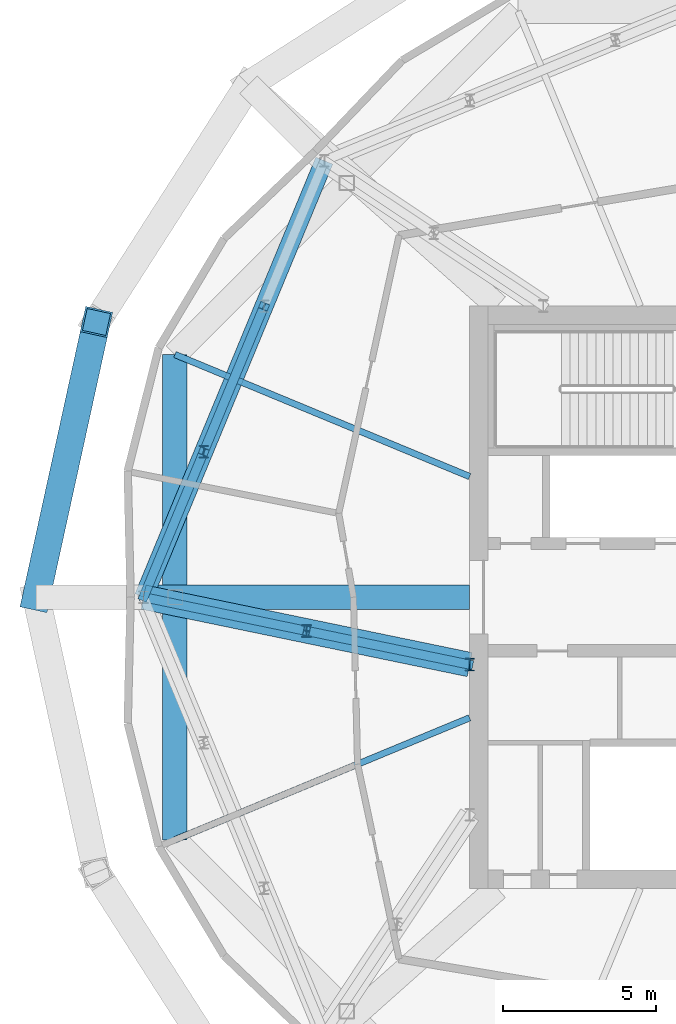
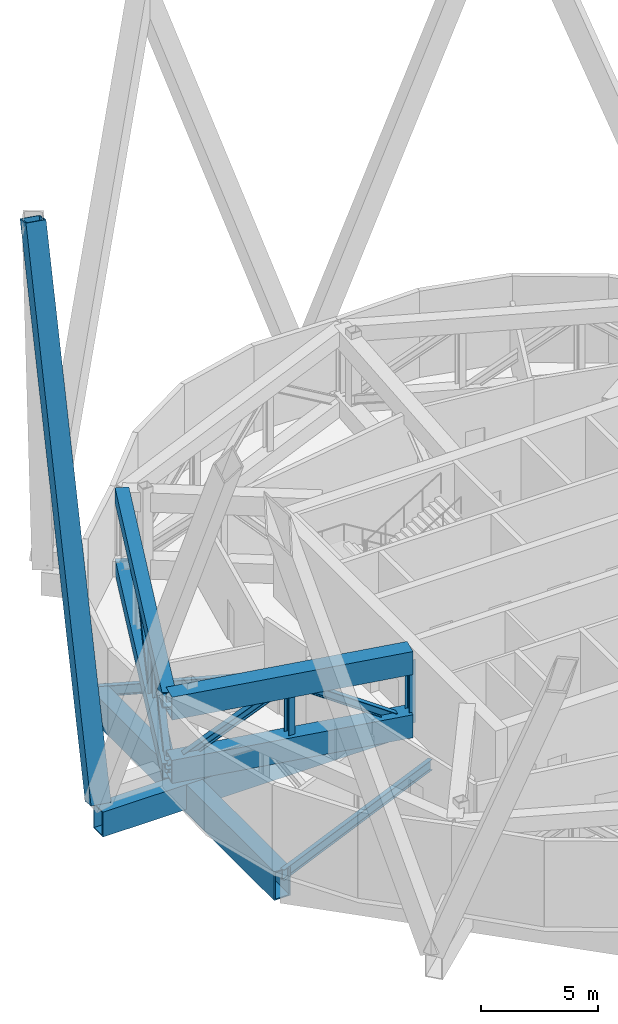
# One storey, part 4 of 19: 12 members, 4 beams.
"""IFC4 building model written with IfcOpenShell, lengths in metres."""

from ifc_helpers import new_model, si_unit, direction, frame, origin, origin_2d, place, context, subcontext, project, spatial, hollow_rectangle, i_section, extrude, material, material_profile, profile_set, type_object, element, save


model = new_model("IFC4")

# Units and contexts
model_context = context("Model", 3, precision=1e-05, world=origin(), true_north=direction((0.0, 1.0)))
body_context = subcontext(model_context, "Body", "Model", "MODEL_VIEW")
ifc_project = project(units=[si_unit("LENGTHUNIT", "METRE"), si_unit("AREAUNIT", "SQUARE_METRE"), si_unit("VOLUMEUNIT", "CUBIC_METRE"), si_unit("PLANEANGLEUNIT", "RADIAN"), si_unit("MASSUNIT", "GRAM", prefix="KILO")], contexts=[model_context])

# Site, building, storey
site_placement = place(None, origin())
site = spatial("IfcSite", under=ifc_project, at=site_placement, CompositionType="ELEMENT")
building_placement = place(site_placement, origin())
building = spatial("IfcBuilding", under=site, at=building_placement, Name="Ogive Gate Towers", CompositionType="ELEMENT")
storey_placement = place(building_placement, frame((0.0, 0.0, 216.300048828125)))
storey = spatial("IfcBuildingStorey", under=building, at=storey_placement, Name="L52", CompositionType="ELEMENT", Elevation=216.300048828125)

# Member
ifc_material_1 = material(Name="Steel SM460", Category="steel")
ifc_material_profile_1 = material_profile(ifc_material_1, hollow_rectangle(XDim=0.89990234375, YDim=0.89990234375, WallThickness=0.06005859375, at=origin_2d()), Name="BX 900x900x60")
ifc_profile_set_1 = profile_set([ifc_material_profile_1], Name="Steel SM460")
member_type_1 = type_object("IfcMemberType", Name="Diagrid diagonal BX 900x900x60", PredefinedType="BRACE", material=ifc_profile_set_1)
member_1_placement = place(storey_placement, frame((-59.639892578125, 0.0, 0.0), z_axis=(0.075657502601, 0.345566183474, 0.935339486571), x_axis=(-0.976861702074, 0.21387195941, 0.0)))
element("IfcMember", 1, at=member_1_placement, inside=storey, type_object=member_type_1, Name="T1/L52/SDG009", PredefinedType="BRACE", context=body_context, shape_type="SweptSolid", body=[
    extrude(hollow_rectangle(XDim=0.89990234375, YDim=0.89990234375, WallThickness=0.06005859375, at=origin_2d()), origin(), (0.0, 0.0, 1.0), 25.97998046875),
])

# Beams
ifc_material_profile_2 = material_profile(ifc_material_1, hollow_rectangle(XDim=0.800048828125, YDim=1.5, WallThickness=0.06005859375, at=origin_2d()), Name="BX 1500x800x60")
ifc_profile_set_2 = profile_set([ifc_material_profile_2], Name="Steel SM460")
beam_type_1 = type_object("IfcBeamType", Name="Edge girder BX 1500x800x60", PredefinedType="BEAM", material=ifc_profile_set_2)
beam_1_placement = place(storey_placement, frame((-55.114990234375, 7.917724609375, -1.050048828125), z_axis=(0.0, -1.0, 0.0), x_axis=(1.0, 0.0, 0.0)))
element("IfcBeam", 2, at=beam_1_placement, inside=storey, type_object=beam_type_1, Name="T1/L52/SBM024", PredefinedType="BEAM", context=body_context, shape_type="SweptSolid", body=[
    extrude(hollow_rectangle(XDim=0.800048828125, YDim=1.5, WallThickness=0.06005859375, at=origin_2d()), origin(), (0.0, 0.0, 1.0), 15.83544921875),
])
ifc_material_2 = material(Name="Steel SM355", Category="steel")
ifc_material_profile_3 = material_profile(ifc_material_2, i_section(OverallWidth=0.2099609375, OverallDepth=0.550048828125, WebThickness=0.010986328125, FlangeThickness=0.01708984375, FilletRadius=0.02392578125, at=origin_2d()), Name="IPE 550")
ifc_profile_set_3 = profile_set([ifc_material_profile_3], Name="Steel SM355")
beam_type_2 = type_object("IfcBeamType", Name="Radial floor beam IPE 550", PredefinedType="BEAM", material=ifc_profile_set_3)
for number, where, z_axis, x_axis, name in (
    (3, (-45.5, -3.93505859375, -0.574951171875), (-0.92387930631, -0.382683978464, 0.0), (0.382683978464, -0.92387930631, 0.0), "T1/L52/SBM001"),
    (4, (-45.5, 3.93505859375, -0.574951171875), (-0.92387930631, 0.382683978464, 0.0), (-0.382683978464, -0.92387930631, 0.0), "T1/L52/SBM015"),
):
    element("IfcBeam", number, at=place(storey_placement, frame(where, z_axis=z_axis, x_axis=x_axis)), inside=storey, type_object=beam_type_2, Name=name, PredefinedType="BEAM", context=body_context, shape_type="SweptSolid", body=[
        extrude(i_section(OverallWidth=0.2099609375, OverallDepth=0.550048828125, WebThickness=0.010986328125, FlangeThickness=0.01708984375, FilletRadius=0.02392578125, at=origin_2d()), origin(), (0.0, 0.0, 1.0), 10.4072265625),
    ])
ifc_material_profile_4 = material_profile(ifc_material_1, hollow_rectangle(XDim=0.800048828125, YDim=1.300048828125, WallThickness=0.050048828125, at=origin_2d()), Name="BX 1300x800x50")
ifc_profile_set_4 = profile_set([ifc_material_profile_4], Name="Steel SM460")
beam_type_3 = type_object("IfcBeamType", Name="Transfer radial beam BX 1300x800x50", PredefinedType="BEAM", material=ifc_profile_set_4)
beam_2_placement = place(storey_placement, frame((-45.5, 0.0, -0.949951171875), z_axis=(-1.0, 0.0, 0.0), x_axis=(0.0, -1.0, 0.0)))
element("IfcBeam", 5, at=beam_2_placement, inside=storey, type_object=beam_type_3, Name="T1/L52/SBM016", PredefinedType="BEAM", context=body_context, shape_type="SweptSolid", body=[
    extrude(hollow_rectangle(XDim=0.800048828125, YDim=1.300048828125, WallThickness=0.050048828125, at=origin_2d()), origin(), (0.0, 0.0, 1.0), 14.139892578125),
])

# Members
ifc_material_profile_5 = material_profile(ifc_material_1, hollow_rectangle(XDim=0.800048828125, YDim=1.199951171875, WallThickness=0.050048828125, at=origin_2d()), Name="BX 1200x800x50")
ifc_profile_set_5 = profile_set([ifc_material_profile_5], Name="Steel SM460")
member_type_2 = type_object("IfcMemberType", Name="Truss chord BX 1200x800x50", PredefinedType="CHORD", material=ifc_profile_set_5)
for number, where, z_axis, x_axis, name in (
    (6, (-45.5, -2.199951171875, 0.599853515625), (-0.979286084876, 0.202481515129, 0.0), (-0.202481515129, -0.979286084876, 0.0), "T1/L52/STR066"),
    (7, (-45.5, -2.199951171875, 3.89990234375), (-0.979286084876, 0.202481515129, 0.0), (-0.202481515129, -0.979286084876, 0.0), "T1/L52/STR067"),
):
    element("IfcMember", number, at=place(storey_placement, frame(where, z_axis=z_axis, x_axis=x_axis)), inside=storey, type_object=member_type_2, Name=name, PredefinedType="CHORD", context=body_context, shape_type="SweptSolid", body=[
        extrude(hollow_rectangle(XDim=0.800048828125, YDim=1.199951171875, WallThickness=0.050048828125, at=origin_2d()), origin(), (0.0, 0.0, 1.0), 10.864990234375),
    ])
ifc_material_profile_6 = material_profile(ifc_material_1, hollow_rectangle(XDim=0.60009765625, YDim=0.800048828125, WallThickness=0.0400390625, at=origin_2d()), Name="BX 800x600x40")
ifc_profile_set_6 = profile_set([ifc_material_profile_6], Name="Steel SM460")
member_type_3 = type_object("IfcMemberType", Name="Truss chord BX 800x600x40", PredefinedType="CHORD", material=ifc_profile_set_6)
for number, where, z_axis, x_axis, name in (
    (8, (-50.2412109375, 14.2412109375, 0.39990234375), (-0.382671190687, -0.923884603085, 0.0), (0.923884603085, -0.382671190687, 0.0), "T1/L52/STR044"),
    (9, (-50.2412109375, 14.2412109375, 4.099853515625), (-0.382671190687, -0.923884603085, 0.0), (0.923884603085, -0.382671190687, 0.0), "T1/L52/STR045"),
):
    element("IfcMember", number, at=place(storey_placement, frame(where, z_axis=z_axis, x_axis=x_axis)), inside=storey, type_object=member_type_3, Name=name, PredefinedType="CHORD", context=body_context, shape_type="SweptSolid", body=[
        extrude(hollow_rectangle(XDim=0.60009765625, YDim=0.800048828125, WallThickness=0.0400390625, at=origin_2d()), origin(), (0.0, 0.0, 1.0), 15.41455078125),
    ])
ifc_material_profile_7 = material_profile(ifc_material_1, i_section(OverallWidth=0.300048828125, OverallDepth=0.39990234375, WebThickness=0.013427734375, FlangeThickness=0.02392578125, FilletRadius=0.027099609375, at=origin_2d()), Name="HE 400 B")
ifc_profile_set_7 = profile_set([ifc_material_profile_7], Name="Steel SM460")
member_type_4 = type_object("IfcMemberType", Name="Truss diagonal HE 400 B", PredefinedType="BRACE", material=ifc_profile_set_7)
member_2_placement = place(storey_placement, frame((-52.20751953125, 9.494140625, 4.099853515625), z_axis=(-0.310548860821, -0.74972833993, -0.58435162475), x_axis=(0.923879003455, -0.382684709619, 0.0)))
element("IfcMember", 10, at=member_2_placement, inside=storey, type_object=member_type_4, Name="T1/L52/STR047", PredefinedType="BRACE", context=body_context, shape_type="SweptSolid", body=[
    extrude(i_section(OverallWidth=0.300048828125, OverallDepth=0.39990234375, WebThickness=0.013427734375, FlangeThickness=0.02392578125, FilletRadius=0.027099609375, at=origin_2d()), origin(), (0.0, 0.0, 1.0), 6.331787109375),
])
member_3_placement = place(storey_placement, frame((-54.173828125, 4.7470703125, 4.099853515625), z_axis=(-0.310514020445, -0.749737316967, -0.584358621613), x_axis=(0.923895801957, -0.382644152086, 0.0)))
element("IfcMember", 11, at=member_3_placement, inside=storey, type_object=member_type_4, Name="T1/L52/STR048", PredefinedType="BRACE", context=body_context, shape_type="SweptSolid", body=[
    extrude(i_section(OverallWidth=0.300048828125, OverallDepth=0.39990234375, WebThickness=0.013427734375, FlangeThickness=0.02392578125, FilletRadius=0.027099609375, at=origin_2d()), origin(), (0.0, 0.0, 1.0), 6.33154296875),
])
member_4_placement = place(storey_placement, frame((-45.5, -2.199951171875, 0.599853515625), z_axis=(-0.836969672007, 0.173032369895, 0.519173927609), x_axis=(-0.202455510679, -0.979291461311, 0.0)))
element("IfcMember", 12, at=member_4_placement, inside=storey, type_object=member_type_4, Name="T1/L52/STR068", PredefinedType="BRACE", context=body_context, shape_type="SweptSolid", body=[
    extrude(i_section(OverallWidth=0.300048828125, OverallDepth=0.39990234375, WebThickness=0.013427734375, FlangeThickness=0.02392578125, FilletRadius=0.027099609375, at=origin_2d()), origin(), (0.0, 0.0, 1.0), 6.3564453125),
])
member_5_placement = place(storey_placement, frame((-50.820068359375, -1.10009765625, 3.89990234375), z_axis=(-0.836952605331, 0.173075192273, -0.519187166877), x_axis=(-0.202507520343, -0.979280707563, 0.0)))
element("IfcMember", 13, at=member_5_placement, inside=storey, type_object=member_type_4, Name="T1/L52/STR069", PredefinedType="BRACE", context=body_context, shape_type="SweptSolid", body=[
    extrude(i_section(OverallWidth=0.300048828125, OverallDepth=0.39990234375, WebThickness=0.013427734375, FlangeThickness=0.02392578125, FilletRadius=0.027099609375, at=origin_2d()), origin(), (0.0, 0.0, 1.0), 6.356201171875),
])
ifc_material_profile_8 = material_profile(ifc_material_1, i_section(OverallWidth=0.300048828125, OverallDepth=0.39990234375, WebThickness=0.013427734375, FlangeThickness=0.02392578125, FilletRadius=0.027099609375, at=origin_2d()), Name="HE 400 B")
ifc_profile_set_8 = profile_set([ifc_material_profile_8], Name="Steel SM460")
member_type_5 = type_object("IfcMemberType", Name="Truss post HE 400 B", PredefinedType="POST", material=ifc_profile_set_8)
member_6_placement = place(storey_placement, frame((-54.173828125, 4.7470703125, 0.39990234375), z_axis=(0.0, 0.0, 1.0), x_axis=(1.0, 0.0, 0.0)))
element("IfcMember", 14, at=member_6_placement, inside=storey, type_object=member_type_5, Name="T1/L52/STR050", PredefinedType="POST", context=body_context, shape_type="SweptSolid", body=[
    extrude(i_section(OverallWidth=0.300048828125, OverallDepth=0.39990234375, WebThickness=0.013427734375, FlangeThickness=0.02392578125, FilletRadius=0.027099609375, at=origin_2d()), origin(), (0.0, 0.0, 1.0), 3.699951171875),
])
for number, where, z_axis, x_axis, name in (
    (15, (-45.5, -2.199951171875, 0.599853515625), (0.0, 0.0, 1.0), (1.0, 0.0, 0.0), "T1/L52/STR070"),
    (16, (-50.820068359375, -1.10009765625, 0.599853515625), (0.0, 0.0, 1.0), (1.0, 0.0, 0.0), "T1/L52/STR071"),
):
    element("IfcMember", number, at=place(storey_placement, frame(where, z_axis=z_axis, x_axis=x_axis)), inside=storey, type_object=member_type_5, Name=name, PredefinedType="POST", context=body_context, shape_type="SweptSolid", body=[
        extrude(i_section(OverallWidth=0.300048828125, OverallDepth=0.39990234375, WebThickness=0.013427734375, FlangeThickness=0.02392578125, FilletRadius=0.027099609375, at=origin_2d()), origin(), (0.0, 0.0, 1.0), 3.300048828125),
    ])

save(model, "model.ifc")
